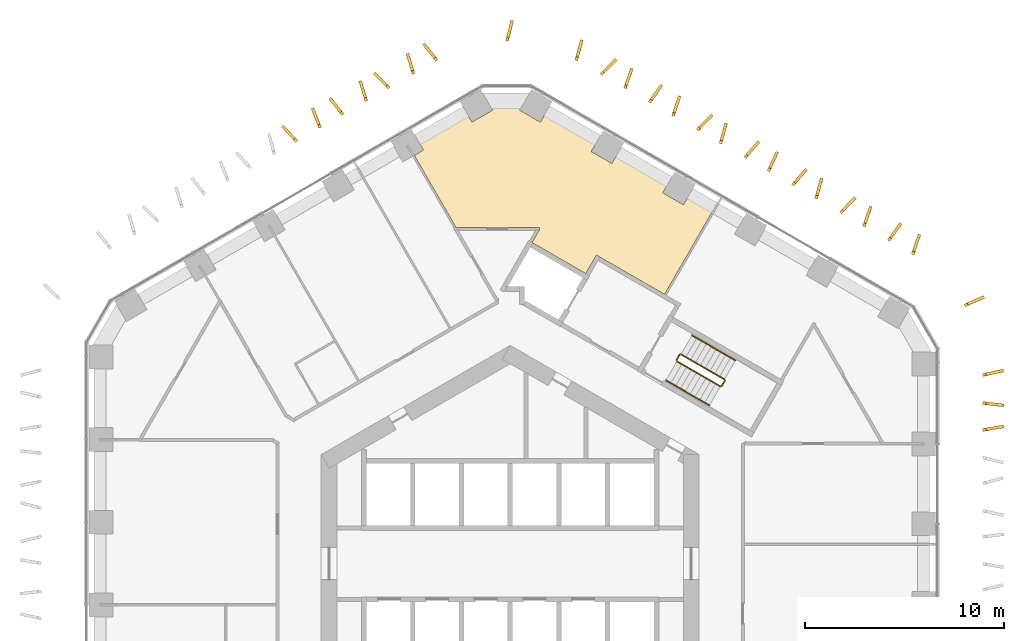
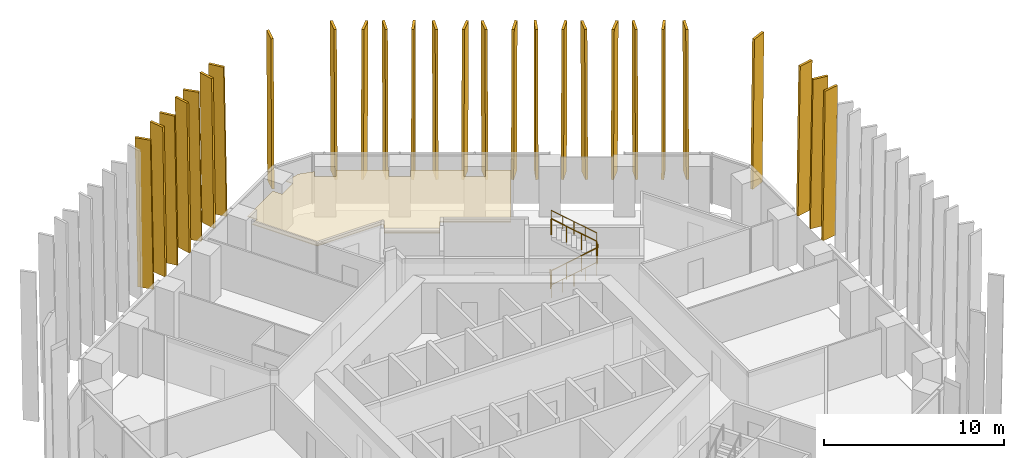
# One storey, part 20 of 20: 27 shading devices, 8 railings, 1 covering.
"""IFC4 building model written with IfcOpenShell, lengths in metres."""

from ifc_helpers import new_model, si_unit, direction, frame, origin, origin_2d, place, context, subcontext, project, spatial, polyline, circle, outline, extrude, material, layer, layer_set, type_object, element, save


model = new_model("IFC4")

# Units and contexts
model_context = context("Model", 3, precision=1e-05, world=origin(), true_north=direction((0.0, 1.0)))
body_context = subcontext(model_context, "Body", "Model", "MODEL_VIEW")
ifc_project = project(units=[si_unit("LENGTHUNIT", "METRE"), si_unit("AREAUNIT", "SQUARE_METRE"), si_unit("VOLUMEUNIT", "CUBIC_METRE"), si_unit("PLANEANGLEUNIT", "RADIAN"), si_unit("MASSUNIT", "GRAM", prefix="KILO")], contexts=[model_context])

# Site, building, storey
site_placement = place(None, origin())
site = spatial("IfcSite", under=ifc_project, at=site_placement, CompositionType="ELEMENT")
building_placement = place(site_placement, origin())
building = spatial("IfcBuilding", under=site, at=building_placement, Name="Ayvan Gate Tower", CompositionType="ELEMENT")
storey_placement = place(building_placement, frame((0.0, 0.0, 35.699951171875)))
storey = spatial("IfcBuildingStorey", under=building, at=storey_placement, Name="L08", CompositionType="ELEMENT", Elevation=35.699951171875)

# Shading devices
ifc_material_1 = material(Name="Bronze anodised aluminium", Category="aluminium")
ifc_layer_1 = layer(ifc_material_1, 0.14990234375)
ifc_layer_set_1 = layer_set([ifc_layer_1], Name="Bronze anodised aluminium")
shading_device_type = type_object("IfcShadingDeviceType", Name="Bronze fin 900 x 150", PredefinedType="USERDEFINED", material=ifc_layer_set_1)
shading_device_1_placement = place(storey_placement, frame((-3.62890625, 25.34375, 0.0), z_axis=(0.784625776992, 0.619969650239, 0.000151205261), x_axis=(-0.619969657322, 0.784625785964, -2.8805e-08)))
element("IfcShadingDevice", 1, at=shading_device_1_placement, inside=storey, type_object=shading_device_type, Name="Bronze fin FG02.1.1", ObjectType="FIN", PredefinedType="USERDEFINED", context=body_context, shape_type="SweptSolid", body=[
    extrude(outline(polyline([(0.0, 0.0), (0.9000373695740695, -1.3552527156068805e-20), (1.0672227473248408, 10.080078270971912), (0.1672255770009277, 10.080078219121942), (0.0, 0.0)])), origin(), (0.0, 0.0, -1.0), 0.14990234375),
])
shading_device_2_placement = place(storey_placement, frame((-4.787841796875, 24.64111328125, 0.0), z_axis=(0.957478387855, 0.288504962596, 0.000152801271), x_axis=(-0.288504965962, 0.957478399033, -1.3867e-08)))
element("IfcShadingDevice", 2, at=shading_device_2_placement, inside=storey, type_object=shading_device_type, Name="Bronze fin FG02.1.2", ObjectType="FIN", PredefinedType="USERDEFINED", context=body_context, shape_type="SweptSolid", body=[
    extrude(outline(polyline([(0.0, 0.0), (0.8998100705580874, -6.776263578034403e-21), (1.0670574615411892, 10.0800782574733), (0.16694319582563233, 10.080078232513028), (0.0, 0.0)])), origin(), (0.0, 0.0, -1.0), 0.14990234375),
])
shading_device_3_placement = place(storey_placement, frame((-6.029541015625, 23.9658203125, 0.0), z_axis=(0.707106772787, 0.707106772787, 0.00015413585), x_axis=(-0.70710678119, 0.707106781183, 2.9568e-08)))
element("IfcShadingDevice", 3, at=shading_device_3_placement, inside=storey, type_object=shading_device_type, Name="Bronze fin FG02.1.3", ObjectType="FIN", PredefinedType="USERDEFINED", context=body_context, shape_type="SweptSolid", body=[
    extrude(outline(polyline([(0.0, 0.0), (0.8999383911927428, -1.3552527156068805e-20), (1.0670479090089702, 10.080078213190514), (0.167109517816229, 10.080078266408533), (0.0, 0.0)])), origin(), (0.0, 0.0, -1.0), 0.14990234375),
])
shading_device_4_placement = place(storey_placement, frame((-7.158935546875, 23.2724609375, 0.0), z_axis=(0.956042536698, 0.293227970541, 0.000159115344), x_axis=(-0.293227974251, 0.9560425488, -6.327e-09)))
element("IfcShadingDevice", 4, at=shading_device_4_placement, inside=storey, type_object=shading_device_type, Name="Bronze fin FG02.1.4", ObjectType="FIN", PredefinedType="USERDEFINED", context=body_context, shape_type="SweptSolid", body=[
    extrude(outline(polyline([(0.0, 0.0), (0.9001536681363617, 0.0), (1.0671550527190703, 10.080078259354254), (0.1672347934080992, 10.080078247964845), (0.0, 0.0)])), origin(), (0.0, 0.0, -1.0), 0.14990234375),
])
shading_device_5_placement = place(storey_placement, frame((-8.3515625, 22.61669921875, 0.0), z_axis=(0.787610878537, 0.616172932873, 0.000144241284), x_axis=(-0.616172939283, 0.78761088673, 3.353e-09)))
element("IfcShadingDevice", 5, at=shading_device_5_placement, inside=storey, type_object=shading_device_type, Name="Bronze fin FG02.1.5", ObjectType="FIN", PredefinedType="USERDEFINED", context=body_context, shape_type="SweptSolid", body=[
    extrude(outline(polyline([(0.0, 0.0), (0.9001872395298831, 0.0), (1.067145646509007, 10.080078226282307), (0.16730112763977162, 10.080078232318373), (0.0, 0.0)])), origin(), (0.0, 0.0, -1.0), 0.14990234375),
])
shading_device_6_placement = place(storey_placement, frame((-9.48193359375, 21.939453125, 0.0), z_axis=(0.929826910194, 0.367997141846, 0.00014377647), x_axis=(-0.367997145648, 0.929826919805, -1.0959e-08)))
element("IfcShadingDevice", 6, at=shading_device_6_placement, inside=storey, type_object=shading_device_type, Name="Bronze fin FG02.1.6", ObjectType="FIN", PredefinedType="USERDEFINED", context=body_context, shape_type="SweptSolid", body=[
    extrude(outline(polyline([(0.0, 0.0), (0.8997853964043036, -6.776263578034403e-21), (1.0671152072407342, 10.080078240880363), (0.16701295925795076, 10.080078221155723), (0.0, 0.0)])), origin(), (0.0, 0.0, -1.0), 0.14990234375),
])
shading_device_7_placement = place(storey_placement, frame((-10.67626953125, 21.281005859375, 0.0), z_axis=(0.729131032332, 0.684374105124, 0.000148076832), x_axis=(-0.684374112627, 0.729131040325, 0.0)))
element("IfcShadingDevice", 7, at=shading_device_7_placement, inside=storey, type_object=shading_device_type, Name="Bronze fin FG02.1.7", ObjectType="FIN", PredefinedType="USERDEFINED", context=body_context, shape_type="SweptSolid", body=[
    extrude(outline(polyline([(0.0, 0.0), (0.9000439752325704, 0.0), (1.0671896832974253, 10.08007823551167), (0.16714570806485485, 10.08007823551167), (0.0, 0.0)])), origin(), (0.0, 0.0, -1.0), 0.14990234375),
])
shading_device_8_placement = place(storey_placement, frame((23.764404296875, 6.6435546875, 0.0), z_axis=(0.167917138621, -0.985801101373, 0.000151949694), x_axis=(0.985801112754, 0.16791714056, 0.0)))
element("IfcShadingDevice", 8, at=shading_device_8_placement, inside=storey, type_object=shading_device_type, Name="Bronze fin FG02.9.77", ObjectType="FIN", PredefinedType="USERDEFINED", context=body_context, shape_type="SweptSolid", body=[
    extrude(outline(polyline([(0.0, 0.0), (0.8999858285529956, 0.0), (1.0669199405869076, 10.080078241368003), (0.166934112033912, 10.080078241368003), (0.0, 0.0)])), origin(), (0.0, 0.0, -1.0), 0.14990234375),
])
shading_device_9_placement = place(storey_placement, frame((23.7431640625, 8.0029296875, 0.0), z_axis=(-0.120294914525, -0.992738189767, 0.000141834682), x_axis=(0.992738199752, -0.120294915738, -1.9096e-08)))
element("IfcShadingDevice", 9, at=shading_device_9_placement, inside=storey, type_object=shading_device_type, Name="Bronze fin FG02.9.78", ObjectType="FIN", PredefinedType="USERDEFINED", context=body_context, shape_type="SweptSolid", body=[
    extrude(outline(polyline([(0.0, 0.0), (0.9001056527542397, 0.0), (1.0671475475315337, 10.0800782467687), (0.16707126365320643, 10.080078212393113), (0.0, 0.0)])), origin(), (0.0, 0.0, -1.0), 0.14990234375),
])
shading_device_10_placement = place(storey_placement, frame((23.76708984375, 9.406005859375, 0.0), z_axis=(0.213482491705, -0.976946879131, 0.000145232572), x_axis=(0.976946889434, 0.213482493956, -4.205e-09)))
element("IfcShadingDevice", 10, at=shading_device_10_placement, inside=storey, type_object=shading_device_type, Name="Bronze fin FG02.9.79", ObjectType="FIN", PredefinedType="USERDEFINED", context=body_context, shape_type="SweptSolid", body=[
    extrude(outline(polyline([(0.0, 0.0), (0.9001399947470278, -3.3881317890172014e-21), (1.0671499412151608, 10.08007823579398), (0.1672484588923113, 10.080078228225497), (0.0, 0.0)])), origin(), (0.0, 0.0, -1.0), 0.14990234375),
])
shading_device_11_placement = place(storey_placement, frame((22.87890625, 12.908935546875, 0.0), z_axis=(0.404174399566, -0.914681929756, 0.000148703092), x_axis=(0.914681939869, 0.404174404035, 0.0)))
element("IfcShadingDevice", 11, at=shading_device_11_placement, inside=storey, type_object=shading_device_type, Name="Bronze fin FG02.10.80", ObjectType="FIN", PredefinedType="USERDEFINED", context=body_context, shape_type="SweptSolid", body=[
    extrude(outline(polyline([(0.0, 0.0), (0.9000310945437551, 6.776263578034403e-21), (1.0669803207342834, 10.080078236448418), (0.16694922619052832, 10.080078236448418), (0.0, 0.0)])), origin(), (0.0, 0.0, -1.0), 0.14990234375),
])
shading_device_12_placement = place(storey_placement, frame((20.296875, 15.518310546875, 0.0), z_axis=(0.94523738086, -0.326383630647, 0.000139537572), x_axis=(0.326383633825, 0.945237390062, 0.0)))
element("IfcShadingDevice", 12, at=shading_device_12_placement, inside=storey, type_object=shading_device_type, Name="Bronze fin FG02.11.81", ObjectType="FIN", PredefinedType="USERDEFINED", context=body_context, shape_type="SweptSolid", body=[
    extrude(outline(polyline([(0.0, 0.0), (0.8998648873211479, 0.0), (1.0670061710916752, 10.080078223133263), (0.1671412837705272, 10.080078223133263), (0.0, 0.0)])), origin(), (0.0, 0.0, -1.0), 0.14990234375),
])
shading_device_13_placement = place(storey_placement, frame((19.083251953125, 16.195556640625, 0.0), z_axis=(0.815544308836, -0.578694614354, 0.000153762558), x_axis=(0.578694621195, 0.815544318477, 0.0)))
element("IfcShadingDevice", 13, at=shading_device_13_placement, inside=storey, type_object=shading_device_type, Name="Bronze fin FG02.11.82", ObjectType="FIN", PredefinedType="USERDEFINED", context=body_context, shape_type="SweptSolid", body=[
    extrude(outline(polyline([(0.0, 0.0), (0.8998734981324563, -1.3552527156068805e-20), (1.0670135137260288, 10.080078244161268), (0.16714001559357244, 10.080078244161268), (0.0, 0.0)])), origin(), (0.0, 0.0, -1.0), 0.14990234375),
])
shading_device_14_placement = place(storey_placement, frame((17.854736328125, 16.928466796875, 0.0), z_axis=(0.946185835833, -0.323623767818, 0.000144819525), x_axis=(0.323623771211, 0.946185845755, 0.0)))
element("IfcShadingDevice", 14, at=shading_device_14_placement, inside=storey, type_object=shading_device_type, Name="Bronze fin FG02.11.83", ObjectType="FIN", PredefinedType="USERDEFINED", context=body_context, shape_type="SweptSolid", body=[
    extrude(outline(polyline([(0.0, 0.0), (0.8999949680293663, 0.0), (1.0672126277760328, 10.080078230703203), (0.16721765974666644, 10.080078230703203), (0.0, 0.0)])), origin(), (0.0, 0.0, -1.0), 0.14990234375),
])
shading_device_15_placement = place(storey_placement, frame((16.652587890625, 17.5830078125, 0.0), z_axis=(0.712376913325, -0.701797058176, 0.000149988904), x_axis=(0.70179706607, 0.712376921338, 0.0)))
element("IfcShadingDevice", 15, at=shading_device_15_placement, inside=storey, type_object=shading_device_type, Name="Bronze fin FG02.11.84", ObjectType="FIN", PredefinedType="USERDEFINED", context=body_context, shape_type="SweptSolid", body=[
    extrude(outline(polyline([(0.0, 0.0), (0.8999635755267725, 0.0), (1.0670887827405897, 10.080078238384104), (0.16712520721381732, 10.080078238384104), (0.0, 0.0)])), origin(), (0.0, 0.0, -1.0), 0.14990234375),
])
shading_device_16_placement = place(storey_placement, frame((15.4423828125, 18.3251953125, 0.0), z_axis=(0.963494577319, -0.267727800623, 0.000155724085), x_axis=(0.26772780387, 0.963494589002, 0.0)))
element("IfcShadingDevice", 16, at=shading_device_16_placement, inside=storey, type_object=shading_device_type, Name="Bronze fin FG02.11.85", ObjectType="FIN", PredefinedType="USERDEFINED", context=body_context, shape_type="SweptSolid", body=[
    extrude(outline(polyline([(0.0, 0.0), (0.9000439752325702, 0.0), (1.0670990886639444, 10.080078247220902), (0.1670551134313741, 10.080078247220902), (0.0, 0.0)])), origin(), (0.0, 0.0, -1.0), 0.14990234375),
])
shading_device_17_placement = place(storey_placement, frame((14.253662109375, 18.974365234375, 0.0), z_axis=(0.755635366909, -0.65499249449, 0.000156323887), x_axis=(0.654992502494, 0.755635376142, -2.134e-09)))
element("IfcShadingDevice", 17, at=shading_device_17_placement, inside=storey, type_object=shading_device_type, Name="Bronze fin FG02.11.86", ObjectType="FIN", PredefinedType="USERDEFINED", context=body_context, shape_type="SweptSolid", body=[
    extrude(outline(polyline([(0.0, 0.0), (0.9001482059212621, -1.3552527156068805e-20), (1.0671031916351983, 10.080078250440957), (0.1672993772858687, 10.080078246600655), (0.0, 0.0)])), origin(), (0.0, 0.0, -1.0), 0.14990234375),
])
shading_device_18_placement = place(storey_placement, frame((13.049560546875, 19.695068359375, 0.0), z_axis=(0.908443064708, -0.418008588449, 0.000134781486), x_axis=(0.418008592246, 0.90844307296, 0.0)))
element("IfcShadingDevice", 18, at=shading_device_18_placement, inside=storey, type_object=shading_device_type, Name="Bronze fin FG02.11.87", ObjectType="FIN", PredefinedType="USERDEFINED", context=body_context, shape_type="SweptSolid", body=[
    extrude(outline(polyline([(0.0, 0.0), (0.9000310283186577, 6.776263578034403e-21), (1.0671035117043997, 10.080078216557599), (0.1670724833857419, 10.080078216557599), (0.0, 0.0)])), origin(), (0.0, 0.0, -1.0), 0.14990234375),
])
shading_device_19_placement = place(storey_placement, frame((11.85498046875, 20.359375, 0.0), z_axis=(0.755008369646, -0.655715138137, 0.000139220977), x_axis=(0.655715144492, 0.755008376963, 0.0)))
element("IfcShadingDevice", 19, at=shading_device_19_placement, inside=storey, type_object=shading_device_type, Name="Bronze fin FG02.11.88", ObjectType="FIN", PredefinedType="USERDEFINED", context=body_context, shape_type="SweptSolid", body=[
    extrude(outline(polyline([(0.0, 0.0), (0.899914994463948, -1.3552527156068805e-20), (1.06684416442856, 10.080078222688462), (0.166929169964612, 10.080078222688462), (0.0, 0.0)])), origin(), (0.0, 0.0, -1.0), 0.14990234375),
])
shading_device_20_placement = place(storey_placement, frame((10.64453125, 21.09521484375, 0.0), z_axis=(0.963644093634, -0.267189143485, 0.000149695162), x_axis=(0.267189146479, 0.963644104431, -5.425e-09)))
element("IfcShadingDevice", 20, at=shading_device_20_placement, inside=storey, type_object=shading_device_type, Name="Bronze fin FG02.11.89", ObjectType="FIN", PredefinedType="USERDEFINED", context=body_context, shape_type="SweptSolid", body=[
    extrude(outline(polyline([(0.0, 0.0), (0.8999133711472782, 6.776263578034403e-21), (1.0672045459650927, 10.080078243730497), (0.16705591014388124, 10.080078233964349), (0.0, 0.0)])), origin(), (0.0, 0.0, -1.0), 0.14990234375),
])
shading_device_21_placement = place(storey_placement, frame((9.455810546875, 21.738037109375, 0.0), z_axis=(0.71264609453, -0.701523715438, 0.000143628342), x_axis=(0.701523722674, 0.712646101881, 0.0)))
element("IfcShadingDevice", 21, at=shading_device_21_placement, inside=storey, type_object=shading_device_type, Name="Bronze fin FG02.11.90", ObjectType="FIN", PredefinedType="USERDEFINED", context=body_context, shape_type="SweptSolid", body=[
    extrude(outline(polyline([(0.0, 0.0), (0.8999662247254143, 0.0), (1.0670919996565864, 10.080078228971477), (0.1671257749311721, 10.080078228971477), (0.0, 0.0)])), origin(), (0.0, 0.0, -1.0), 0.14990234375),
])
shading_device_22_placement = place(storey_placement, frame((8.247802734375, 22.474853515625, 0.0), z_axis=(0.946005361913, -0.324150941215, 0.000150137525), x_axis=(0.324150944867, 0.946005372576, 6.6e-09)))
element("IfcShadingDevice", 22, at=shading_device_22_placement, inside=storey, type_object=shading_device_type, Name="Bronze fin FG02.11.91", ObjectType="FIN", PredefinedType="USERDEFINED", context=body_context, shape_type="SweptSolid", body=[
    extrude(outline(polyline([(0.0, 0.0), (0.9001531051415115, -6.776263578034403e-21), (1.067139033702303, 10.08007823156602), (0.16721688690370537, 10.080078243446142), (0.0, 0.0)])), origin(), (0.0, 0.0, -1.0), 0.14990234375),
])
shading_device_23_placement = place(storey_placement, frame((7.0556640625, 23.139404296875, 0.0), z_axis=(0.814849966624, -0.579671897029, 0.000153904747), x_axis=(0.579671903895, 0.814849976275, 0.0)))
element("IfcShadingDevice", 23, at=shading_device_23_placement, inside=storey, type_object=shading_device_type, Name="Bronze fin FG02.11.92", ObjectType="FIN", PredefinedType="USERDEFINED", context=body_context, shape_type="SweptSolid", body=[
    extrude(outline(polyline([(0.0, 0.0), (0.900041061365373, 1.3552527156068805e-20), (1.0673206202015981, 10.08007824438175), (0.1672795588362252, 10.08007824438175), (0.0, 0.0)])), origin(), (0.0, 0.0, -1.0), 0.14990234375),
])
shading_device_24_placement = place(storey_placement, frame((5.837890625, 23.865966796875, 0.0), z_axis=(0.944648551284, -0.328083969211, 0.000153961092), x_axis=(0.328083973101, 0.944648562479, -1.2873e-08)))
element("IfcShadingDevice", 24, at=shading_device_24_placement, inside=storey, type_object=shading_device_type, Name="Bronze fin FG02.11.93", ObjectType="FIN", PredefinedType="USERDEFINED", context=body_context, shape_type="SweptSolid", body=[
    extrude(outline(polyline([(0.0, 0.0), (0.9001934937909454, 0.0), (1.0671012191673632, 10.080078258205464), (0.16721845109311242, 10.080078235033938), (0.0, 0.0)])), origin(), (0.0, 0.0, -1.0), 0.14990234375),
])
shading_device_25_placement = place(storey_placement, frame((4.625, 24.52734375, 0.0), z_axis=(0.713386390175, -0.700770886413, 0.000151887382), x_axis=(0.700770894497, 0.713386398402, -1.444e-08)))
element("IfcShadingDevice", 25, at=shading_device_25_placement, inside=storey, type_object=shading_device_type, Name="Bronze fin FG02.11.94", ObjectType="FIN", PredefinedType="USERDEFINED", context=body_context, shape_type="SweptSolid", body=[
    extrude(outline(polyline([(0.0, 0.0), (0.8998007963589507, -1.3552527156068805e-20), (1.0669309411606496, 10.080078256678856), (0.16695597820052646, 10.08007823069044), (0.0, 0.0)])), origin(), (0.0, 0.0, -1.0), 0.14990234375),
])
shading_device_26_placement = place(storey_placement, frame((3.39306640625, 25.28173828125, 0.0), z_axis=(0.963793313021, -0.266650387475, 0.00014365288), x_axis=(0.266650390226, 0.963793322965, 0.0)))
element("IfcShadingDevice", 26, at=shading_device_26_placement, inside=storey, type_object=shading_device_type, Name="Bronze fin FG02.11.95", ObjectType="FIN", PredefinedType="USERDEFINED", context=body_context, shape_type="SweptSolid", body=[
    extrude(outline(polyline([(0.0, 0.0), (0.9000183130096557, 0.0), (1.067310378164189, 10.080078229007007), (0.16729206515453326, 10.080078229007007), (0.0, 0.0)])), origin(), (0.0, 0.0, -1.0), 0.14990234375),
])
shading_device_27_placement = place(storey_placement, frame((-0.088623046875, 26.256103515625, 0.0), z_axis=(0.969468624673, -0.24521534323, 0.000145666684), x_axis=(0.245215345832, 0.969468634959, 0.0)))
element("IfcShadingDevice", 27, at=shading_device_27_placement, inside=storey, type_object=shading_device_type, Name="Bronze fin FG02.12.96", ObjectType="FIN", PredefinedType="USERDEFINED", context=body_context, shape_type="SweptSolid", body=[
    extrude(outline(polyline([(0.0, 0.0), (0.9000379819272869, 6.776263578034403e-21), (1.0671330816031304, 10.080078231943498), (0.16709509967584354, 10.080078231943498), (0.0, 0.0)])), origin(), (0.0, 0.0, -1.0), 0.14990234375),
])

# Covering
ifc_material_2 = material(Name="Plasterboard suspended ceiling")
ifc_layer_2 = layer(ifc_material_2, 0.050048828125)
ifc_layer_set_2 = layer_set([ifc_layer_2], Name="Plasterboard suspended ceiling")
covering_type = type_object("IfcCoveringType", Name="CT-SUSP-50", PredefinedType="CEILING", material=ifc_layer_set_2)
covering_placement = place(storey_placement, frame((0.0, 0.0, 2.699951171875)))
element("IfcCovering", 28, at=covering_placement, inside=storey, type_object=covering_type, Name="Ceiling Shared Kitchen L08", PredefinedType="CEILING", context=body_context, shape_type="SweptSolid", body=[
    extrude(outline(polyline([(-4.8203125, 20.524169921875), (-4.36181640625, 20.788818359375), (-4.661865234375, 21.308349609375), (-2.227294921875, 22.714111328125), (-1.92724609375, 22.1943359375), (-0.88818359375, 22.79443359375), (-1.1123046875, 23.182861328125), (-0.177978515625, 23.43310546875), (0.704833984375, 23.196533203125), (0.47265625, 22.79443359375), (1.511962890625, 22.1943359375), (1.82666015625, 22.73974609375), (4.068115234375, 21.44580078125), (4.385986328125, 21.26220703125), (4.071044921875, 20.716796875), (5.1103515625, 20.116943359375), (5.42529296875, 20.662109375), (7.984375, 19.1845703125), (7.669677734375, 18.639404296875), (8.708740234375, 18.039306640625), (9.023681640625, 18.584716796875), (10.260009765625, 17.870849609375), (7.756591796875, 13.534912109375), (4.5263671875, 15.39990234375), (4.3359375, 15.510009765625), (3.798583984375, 14.5791015625), (1.135498046875, 16.116455078125), (1.092041015625, 16.1416015625), (1.432373046875, 16.730712890625), (1.384765625, 16.758056640625), (1.479736328125, 16.758056640625), (1.479736328125, 16.908203125), (-2.732666015625, 16.908203125), (-4.8203125, 20.524169921875)])), origin(), (0.0, 0.0, 1.0), 0.050048828125),
])

# Railings
ifc_material_3 = material(Name="Stainless steel balustrade", Category="steel")
railing_type_1 = type_object("IfcRailingType", Name="RL-GUARD-1100", PredefinedType="GUARDRAIL", material=ifc_material_3)
railing_1_placement = place(storey_placement, frame((8.381103515625, 10.16650390625, 0.170166015625)))
element("IfcRailing", 29, at=railing_1_placement, inside=storey, type_object=railing_type_1, Name="L08 STS1 stair guard 1", PredefinedType="GUARDRAIL", context=body_context, shape_type="SweptSolid", body=[
    extrude(circle(Radius=0.02392578125, at=origin_2d()), frame((0.0, 0.0, 1.076171875), z_axis=(0.740292969978, -0.427413806696, 0.51892557891), x_axis=(0.500004791531, 0.866022637375, 0.0)), (0.0, 0.0, 1.0), 2.947998046875),
    extrude(circle(Radius=0.02099609375, at=origin_2d()), origin(), (0.0, 0.0, 1.0), 1.052001953125),
    extrude(circle(Radius=0.02099609375, at=origin_2d()), frame((0.7275390625, -0.419921875, 0.510009765625)), (0.0, 0.0, 1.0), 1.052001953125),
    extrude(circle(Radius=0.02099609375, at=origin_2d()), frame((1.454833984375, -0.840087890625, 1.019775390625)), (0.0, 0.0, 1.0), 1.052001953125),
    extrude(circle(Radius=0.02099609375, at=origin_2d()), frame((2.182373046875, -1.260009765625, 1.52978515625)), (0.0, 0.0, 1.0), 1.052001953125),
])
railing_2_placement = place(storey_placement, frame((10.6318359375, 8.9248046875, 1.699951171875)))
element("IfcRailing", 30, at=railing_2_placement, inside=storey, type_object=railing_type_1, Name="L08 STS1 stair guard 2", PredefinedType="GUARDRAIL", context=body_context, shape_type="SweptSolid", body=[
    extrude(circle(Radius=0.02392578125, at=origin_2d()), frame((0.0, 0.0, 1.076171875), z_axis=(0.499949632511, 0.866054481515, 0.0), x_axis=(-0.866054481515, 0.499949632511, 0.0)), (0.0, 0.0, 1.0), 0.31005859375),
    extrude(circle(Radius=0.02099609375, at=origin_2d()), origin(), (0.0, 0.0, 1.0), 1.052001953125),
    extrude(circle(Radius=0.02099609375, at=origin_2d()), frame((0.155029296875, 0.2685546875, 0.0)), (0.0, 0.0, 1.0), 1.052001953125),
])
railing_3_placement = place(storey_placement, frame((10.7685546875, 9.261474609375, 1.8701171875)))
element("IfcRailing", 31, at=railing_3_placement, inside=storey, type_object=railing_type_1, Name="L08 STS1 stair guard 3", PredefinedType="GUARDRAIL", context=body_context, shape_type="SweptSolid", body=[
    extrude(circle(Radius=0.02392578125, at=origin_2d()), frame((0.0, 0.0, 1.076171875), z_axis=(-0.740261155115, 0.427395438142, 0.518986090067), x_axis=(-0.500004791531, -0.866022637375, 0.0)), (0.0, 0.0, 1.0), 2.947998046875),
    extrude(circle(Radius=0.02099609375, at=origin_2d()), origin(), (0.0, 0.0, 1.0), 1.052001953125),
    extrude(circle(Radius=0.02099609375, at=origin_2d()), frame((-0.7275390625, 0.419921875, 0.510009765625)), (0.0, 0.0, 1.0), 1.052001953125),
    extrude(circle(Radius=0.02099609375, at=origin_2d()), frame((-1.454833984375, 0.840087890625, 1.02001953125)), (0.0, 0.0, 1.0), 1.052001953125),
    extrude(circle(Radius=0.02099609375, at=origin_2d()), frame((-2.182373046875, 1.260009765625, 1.530029296875)), (0.0, 0.0, 1.0), 1.052001953125),
])
railing_4_placement = place(storey_placement, frame((8.36279296875, 10.23486328125, 0.0)))
element("IfcRailing", 32, at=railing_4_placement, inside=storey, type_object=railing_type_1, Name="L08 STS1 stair guard 4", PredefinedType="GUARDRAIL", context=body_context, shape_type="SweptSolid", body=[
    extrude(circle(Radius=0.02392578125, at=origin_2d()), frame((0.0, 0.0, 1.076171875), z_axis=(0.500290723946, 0.86585748916, 0.0), x_axis=(-0.86585748916, 0.500290723946, 0.0)), (0.0, 0.0, 1.0), 0.309814453125),
    extrude(circle(Radius=0.02099609375, at=origin_2d()), origin(), (0.0, 0.0, 1.0), 1.052001953125),
    extrude(circle(Radius=0.02099609375, at=origin_2d()), frame((0.155029296875, 0.268310546875, 0.0)), (0.0, 0.0, 1.0), 1.052001953125),
])
railing_type_2 = type_object("IfcRailingType", Name="RL-HANDRAIL-900", PredefinedType="HANDRAIL", material=ifc_material_3)
railing_5_placement = place(storey_placement, frame((7.8310546875, 9.2138671875, 0.170166015625)))
element("IfcRailing", 33, at=railing_5_placement, inside=storey, type_object=railing_type_2, Name="L08 STS1 stair handrail 1", PredefinedType="HANDRAIL", context=body_context, shape_type="SweptSolid", body=[
    extrude(circle(Radius=0.02392578125, at=origin_2d()), frame((0.0, 0.0, 0.8759765625), z_axis=(0.740356597536, -0.427319915356, 0.518912129772), x_axis=(0.499890179513, 0.866088799389, 0.0)), (0.0, 0.0, 1.0), 1.47412109375),
    extrude(circle(Radius=0.02099609375, at=origin_2d()), origin(), (0.0, 0.0, 1.0), 0.851806640625),
    extrude(circle(Radius=0.02099609375, at=origin_2d()), frame((0.545654296875, -0.31494140625, 0.38232421875)), (0.0, 0.0, 1.0), 0.851806640625),
    extrude(circle(Radius=0.02099609375, at=origin_2d()), frame((1.09130859375, -0.6298828125, 0.764892578125)), (0.0, 0.0, 1.0), 0.851806640625),
])
railing_6_placement = place(storey_placement, frame((8.92236328125, 8.583984375, 0.93505859375)))
element("IfcRailing", 34, at=railing_6_placement, inside=storey, type_object=railing_type_2, Name="L08 STS1 stair handrail 2", PredefinedType="HANDRAIL", context=body_context, shape_type="SweptSolid", body=[
    extrude(circle(Radius=0.02392578125, at=origin_2d()), frame((0.0, 0.0, 0.8759765625), z_axis=(0.740229329464, -0.427507697325, 0.518939021976), x_axis=(0.50011940292, 0.865956455501, 0.0)), (0.0, 0.0, 1.0), 1.473876953125),
    extrude(circle(Radius=0.02099609375, at=origin_2d()), origin(), (0.0, 0.0, 1.0), 0.851806640625),
    extrude(circle(Radius=0.02099609375, at=origin_2d()), frame((0.54541015625, -0.31494140625, 0.38232421875)), (0.0, 0.0, 1.0), 0.851806640625),
    extrude(circle(Radius=0.02099609375, at=origin_2d()), frame((1.091064453125, -0.630126953125, 0.764892578125)), (0.0, 0.0, 1.0), 0.851806640625),
])
railing_7_placement = place(storey_placement, frame((11.318603515625, 10.214111328125, 1.8701171875)))
element("IfcRailing", 35, at=railing_7_placement, inside=storey, type_object=railing_type_2, Name="L08 STS1 stair handrail 3", PredefinedType="HANDRAIL", context=body_context, shape_type="SweptSolid", body=[
    extrude(circle(Radius=0.02392578125, at=origin_2d()), frame((0.0, 0.0, 0.8759765625), z_axis=(-0.740304193401, 0.427455284825, 0.518875399983), x_axis=(-0.500035496587, -0.86600490885, 0.0)), (0.0, 0.0, 1.0), 1.47412109375),
    extrude(circle(Radius=0.02099609375, at=origin_2d()), origin(), (0.0, 0.0, 1.0), 0.851806640625),
    extrude(circle(Radius=0.02099609375, at=origin_2d()), frame((-0.545654296875, 0.31494140625, 0.38232421875)), (0.0, 0.0, 1.0), 0.851806640625),
    extrude(circle(Radius=0.02099609375, at=origin_2d()), frame((-1.09130859375, 0.630126953125, 0.764892578125)), (0.0, 0.0, 1.0), 0.851806640625),
])
railing_8_placement = place(storey_placement, frame((10.227294921875, 10.84423828125, 2.635009765625)))
element("IfcRailing", 36, at=railing_8_placement, inside=storey, type_object=railing_type_2, Name="L08 STS1 stair handrail 4", PredefinedType="HANDRAIL", context=body_context, shape_type="SweptSolid", body=[
    extrude(circle(Radius=0.02392578125, at=origin_2d()), frame((0.0, 0.0, 0.8759765625), z_axis=(-0.740292964666, 0.42728318766, 0.519033143459), x_axis=(-0.499890179513, -0.866088799389, 0.0)), (0.0, 0.0, 1.0), 1.47412109375),
    extrude(circle(Radius=0.02099609375, at=origin_2d()), origin(), (0.0, 0.0, 1.0), 0.851806640625),
    extrude(circle(Radius=0.02099609375, at=origin_2d()), frame((-0.545654296875, 0.31494140625, 0.382568359375)), (0.0, 0.0, 1.0), 0.851806640625),
    extrude(circle(Radius=0.02099609375, at=origin_2d()), frame((-1.09130859375, 0.6298828125, 0.76513671875)), (0.0, 0.0, 1.0), 0.851806640625),
])

save(model, "model.ifc")
